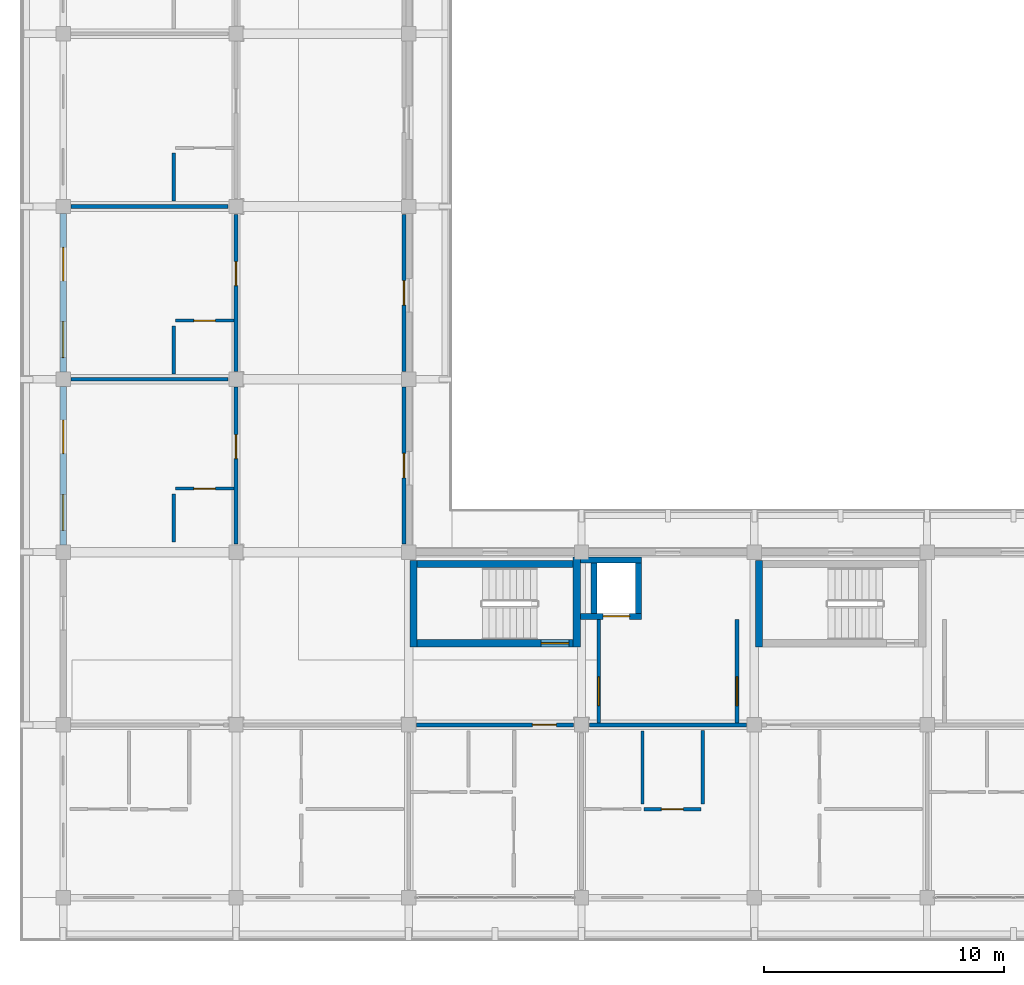
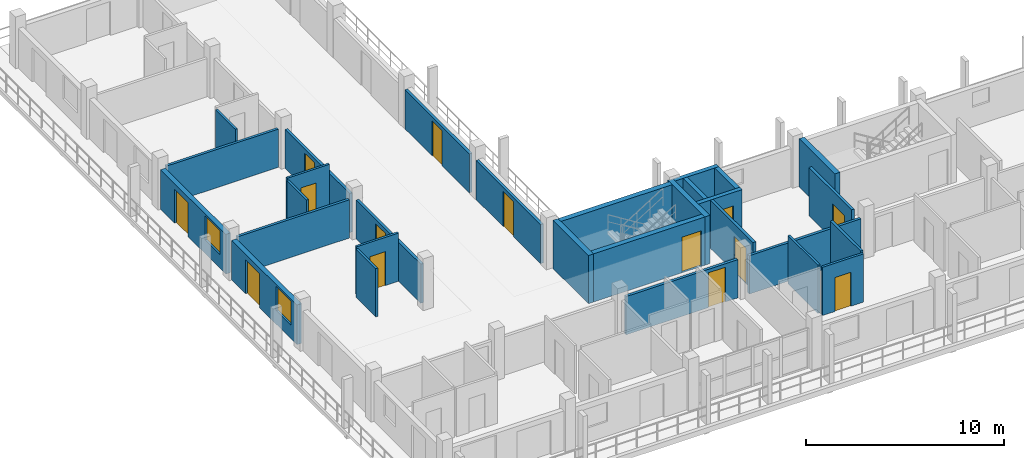
# One storey, part 39 of 76: 29 walls, 14 doors, 2 windows, 16 openings.
"""IFC4 building model written with IfcOpenShell, lengths in metres."""

from ifc_helpers import new_model, si_unit, direction, frame, frame_2d, origin, place, context, subcontext, project, spatial, rectangle, extrude, material, layer, layer_set, type_object, element, fill, save


model = new_model("IFC4")

# Units and contexts
model_context = context("Model", 3, precision=1e-05, world=origin(), true_north=direction((0.0, 1.0)))
body_context = subcontext(model_context, "Body", "Model", "MODEL_VIEW")
ifc_project = project(units=[si_unit("LENGTHUNIT", "METRE"), si_unit("AREAUNIT", "SQUARE_METRE"), si_unit("VOLUMEUNIT", "CUBIC_METRE"), si_unit("PLANEANGLEUNIT", "RADIAN"), si_unit("MASSUNIT", "GRAM", prefix="KILO")], contexts=[model_context])

# Site, building, storey
site_placement = place(None, origin())
site = spatial("IfcSite", under=ifc_project, at=site_placement, CompositionType="ELEMENT")
building_placement = place(site_placement, origin())
building = spatial("IfcBuilding", under=site, at=building_placement, Name="Suanplinth Sawtooth Commons", CompositionType="ELEMENT")
storey_placement = place(building_placement, frame((0.0, 0.0, 12.199951171875)))
storey = spatial("IfcBuildingStorey", under=building, at=storey_placement, Name="L03", CompositionType="ELEMENT", Elevation=12.199951171875)

# Wall, opening, door
ifc_material_1 = material(Name="Concrete C40/50", Category="concrete")
ifc_layer_1 = layer(ifc_material_1, 0.300048828125, Name="Standard RC stair and lift core wall 300mm")
ifc_layer_set_1 = layer_set([ifc_layer_1], Name="Concrete C40/50")
wall_type_1 = type_object("IfcWallType", Name="W-CR02", PredefinedType="SHEAR", material=ifc_layer_set_1)
wall_1_placement = place(storey_placement, frame((14.75, 10.60009765625, 0.0), z_axis=(0.0, 0.0, 1.0), x_axis=(1.0, 0.0, 0.0)))
wall_1 = element("IfcWall", 1, at=wall_1_placement, inside=storey, type_object=wall_type_1, Name="W-L03-C-D1-STS", PredefinedType="SHEAR", context=body_context, shape_type="SweptSolid", body=[
    extrude(rectangle(XDim=6.5, YDim=0.300048828125, at=frame_2d((3.25, 0.0))), origin(), (0.0, 0.0, 1.0), 2.97998046875),
])
opening_1_placement = place(wall_1_placement, frame((5.169921875, 0.0, 0.0)))
opening_1 = element("IfcOpeningElement", 2, at=opening_1_placement, cuts=wall_1, Name="Opening FD0373", PredefinedType="OPENING", context=body_context, shape_type="SweptSolid", body=[
    extrude(rectangle(XDim=1.14990234375, YDim=2.199951171875, at=frame_2d((0.574951171875, 1.10009765625))), frame((0.0, 0.1650390625, 0.0), z_axis=(0.0, -1.0, 0.0), x_axis=(1.0, 0.0, 0.0)), (0.0, 0.0, 1.0), 0.329833984375),
])
ifc_material_2 = material(Name="Teak hardwood fire-rated door assembly", Category="wood")
door_type_1 = type_object("IfcDoorType", Name="FD-01", OperationType="NOTDEFINED", PredefinedType="DOOR", material=ifc_material_2)
door_1_placement = place(opening_1_placement, origin())
door_1 = element("IfcDoor", 3, at=door_1_placement, inside=storey, type_object=door_type_1, Name="Exit Stair Fire Door FD0373", OperationType="SINGLE_SWING_RIGHT", OverallHeight=2.199951171875, OverallWidth=1.14990234375, PredefinedType="DOOR", context=body_context, shape_type="SweptSolid", body=[
    extrude(rectangle(XDim=1.14990234375, YDim=2.199951171875, at=frame_2d((0.574951171875, 1.10009765625))), frame((0.0, 0.02490234375, 0.0), z_axis=(0.0, -1.0, 0.0), x_axis=(1.0, 0.0, 0.0)), (0.0, 0.0, 1.0), 0.050048828125),
])
fill(opening_1, door_1)

# Walls
wall_2_placement = place(storey_placement, frame((14.75, 13.89990234375, 0.0), z_axis=(0.0, 0.0, 1.0), x_axis=(1.0, 0.0, 0.0)))
element("IfcWall", 4, at=wall_2_placement, inside=storey, type_object=wall_type_1, Name="W-L03-C-D1-STN", PredefinedType="SHEAR", context=body_context, shape_type="SweptSolid", body=[
    extrude(rectangle(XDim=6.5, YDim=0.300048828125, at=frame_2d((3.25, 0.0))), origin(), (0.0, 0.0, 1.0), 2.97998046875),
])
wall_3_placement = place(storey_placement, frame((14.60009765625, 10.449951171875, 0.0), z_axis=(0.0, 0.0, 1.0), x_axis=(0.0, 1.0, 0.0)))
element("IfcWall", 5, at=wall_3_placement, inside=storey, type_object=wall_type_1, Name="W-L03-C-D1-STW", PredefinedType="SHEAR", context=body_context, shape_type="SweptSolid", body=[
    extrude(rectangle(XDim=3.60009765625, YDim=0.300048828125, at=frame_2d((1.800048828125, 0.0))), origin(), (0.0, 0.0, 1.0), 2.97998046875),
])
wall_4_placement = place(storey_placement, frame((21.39990234375, 10.449951171875, 0.0), z_axis=(0.0, 0.0, 1.0), x_axis=(0.0, 1.0, 0.0)))
element("IfcWall", 6, at=wall_4_placement, inside=storey, type_object=wall_type_1, Name="W-L03-C-D1-STE", PredefinedType="SHEAR", context=body_context, shape_type="SweptSolid", body=[
    extrude(rectangle(XDim=3.75, YDim=0.300048828125, at=frame_2d((1.875, 0.0))), origin(), (0.0, 0.0, 1.0), 2.97998046875),
])
wall_5_placement = place(storey_placement, frame((29.0, 10.449951171875, 0.0), z_axis=(0.0, 0.0, 1.0), x_axis=(0.0, 1.0, 0.0)))
element("IfcWall", 7, at=wall_5_placement, inside=storey, type_object=wall_type_1, Name="W-L03-C-D2-STW", PredefinedType="SHEAR", context=body_context, shape_type="SweptSolid", body=[
    extrude(rectangle(XDim=3.60009765625, YDim=0.300048828125, at=frame_2d((1.800048828125, 0.0))), origin(), (0.0, 0.0, 1.0), 2.97998046875),
])

# Wall, openings, door, window
ifc_material_3 = material(Name="Precast concrete C40/50", Category="concrete")
ifc_layer_2 = layer(ifc_material_3, 0.280029296875, Name="Insulated precast architectural facade wall 280mm")
ifc_layer_set_2 = layer_set([ifc_layer_2], Name="Precast concrete C40/50")
wall_type_2 = type_object("IfcWallType", Name="W-EX01", PredefinedType="ELEMENTEDWALL", material=ifc_layer_set_2)
wall_6_placement = place(storey_placement, frame((0.0, 14.699951171875, 0.0), z_axis=(0.0, 0.0, 1.0), x_axis=(0.0, 1.0, 0.0)))
wall_6 = element("IfcWall", 8, at=wall_6_placement, inside=storey, type_object=wall_type_2, Name="Facade Wall W-L03-D-W-0-2", PredefinedType="ELEMENTEDWALL", context=body_context, shape_type="SweptSolid", body=[
    extrude(rectangle(XDim=6.60009765625, YDim=0.280029296875, at=frame_2d((3.300048828125, 0.0))), origin(), (0.0, 0.0, 1.0), 2.445068359375),
])
opening_2_placement = place(wall_6_placement, frame((3.800048828125, 0.0, 0.0)))
opening_2 = element("IfcOpeningElement", 9, at=opening_2_placement, cuts=wall_6, Name="Opening ED0292", PredefinedType="OPENING", context=body_context, shape_type="SweptSolid", body=[
    extrude(rectangle(XDim=1.39990234375, YDim=2.10009765625, at=frame_2d((0.699951171875, 1.050048828125))), frame((0.0, 0.15478515625, 0.0), z_axis=(0.0, -1.0, 0.0), x_axis=(1.0, 0.0, 0.0)), (0.0, 0.0, 1.0), 0.309814453125),
])
opening_3_placement = place(wall_6_placement, frame((0.60009765625, 0.0, 0.8349609375)))
opening_3 = element("IfcOpeningElement", 10, at=opening_3_placement, cuts=wall_6, Name="Opening W0396", PredefinedType="OPENING", context=body_context, shape_type="SweptSolid", body=[
    extrude(rectangle(XDim=1.5, YDim=1.5, at=frame_2d((0.75, 0.75))), frame((0.0, 0.15478515625, 0.0), z_axis=(0.0, -1.0, 0.0), x_axis=(1.0, 0.0, 0.0)), (0.0, 0.0, 1.0), 0.309814453125),
])
ifc_material_4 = material(Name="Anodized aluminium and low-E glass", Category="aluminium")
door_type_2 = type_object("IfcDoorType", Name="SD-07", OperationType="SLIDING_TO_RIGHT", PredefinedType="DOOR", material=ifc_material_4)
door_2_placement = place(opening_2_placement, frame((1.39990234375, 0.0, 0.0), z_axis=(0.0, 0.0, 1.0), x_axis=(-1.0, 0.0, 0.0)))
door_2 = element("IfcDoor", 11, at=door_2_placement, inside=storey, type_object=door_type_2, Name="Wing Balcony Sliding Door L03-D-2", OperationType="SLIDING_TO_RIGHT", OverallHeight=2.10009765625, OverallWidth=1.39990234375, PredefinedType="DOOR", context=body_context, shape_type="SweptSolid", body=[
    extrude(rectangle(XDim=1.39990234375, YDim=2.10009765625, at=frame_2d((0.699951171875, 1.050048828125))), frame((0.0, 0.02490234375, 0.0), z_axis=(0.0, -1.0, 0.0), x_axis=(1.0, 0.0, 0.0)), (0.0, 0.0, 1.0), 0.050048828125),
])
fill(opening_2, door_2)
ifc_material_5 = material(Name="Thermally broken aluminium and low-E double glazing", Category="aluminium")
window_type = type_object("IfcWindowType", Name="WN-02", PartitioningType="DOUBLE_PANEL_VERTICAL", PredefinedType="WINDOW", material=ifc_material_5)
window_1_placement = place(opening_3_placement, origin())
window_1 = element("IfcWindow", 12, at=window_1_placement, inside=storey, type_object=window_type, Name="Wing Window L03-D-2", OverallHeight=1.5, OverallWidth=1.5, PartitioningType="DOUBLE_PANEL_VERTICAL", PredefinedType="WINDOW", context=body_context, shape_type="SweptSolid", body=[
    extrude(rectangle(XDim=1.5, YDim=1.5, at=frame_2d((0.75, 0.75))), frame((0.0, 0.030029296875, 0.0), z_axis=(0.0, -1.0, 0.0), x_axis=(1.0, 0.0, 0.0)), (0.0, 0.0, 1.0), 0.06005859375),
])
fill(opening_3, window_1)

wall_7_placement = place(storey_placement, frame((0.0, 21.89990234375, 0.0), z_axis=(0.0, 0.0, 1.0), x_axis=(0.0, 1.0, 0.0)))
wall_7 = element("IfcWall", 13, at=wall_7_placement, inside=storey, type_object=wall_type_2, Name="Facade Wall W-L03-D-W-0-3", PredefinedType="ELEMENTEDWALL", context=body_context, shape_type="SweptSolid", body=[
    extrude(rectangle(XDim=6.60009765625, YDim=0.280029296875, at=frame_2d((3.300048828125, 0.0))), origin(), (0.0, 0.0, 1.0), 2.445068359375),
])
opening_4_placement = place(wall_7_placement, frame((3.800048828125, 0.0, 0.0)))
opening_4 = element("IfcOpeningElement", 14, at=opening_4_placement, cuts=wall_7, Name="Opening ED0293", PredefinedType="OPENING", context=body_context, shape_type="SweptSolid", body=[
    extrude(rectangle(XDim=1.39990234375, YDim=2.10009765625, at=frame_2d((0.699951171875, 1.050048828125))), frame((0.0, 0.15478515625, 0.0), z_axis=(0.0, -1.0, 0.0), x_axis=(1.0, 0.0, 0.0)), (0.0, 0.0, 1.0), 0.309814453125),
])
opening_5_placement = place(wall_7_placement, frame((0.60009765625, 0.0, 0.8349609375)))
opening_5 = element("IfcOpeningElement", 15, at=opening_5_placement, cuts=wall_7, Name="Opening W0397", PredefinedType="OPENING", context=body_context, shape_type="SweptSolid", body=[
    extrude(rectangle(XDim=1.5, YDim=1.5, at=frame_2d((0.75, 0.75))), frame((0.0, 0.15478515625, 0.0), z_axis=(0.0, -1.0, 0.0), x_axis=(1.0, 0.0, 0.0)), (0.0, 0.0, 1.0), 0.309814453125),
])
door_3_placement = place(opening_4_placement, frame((1.39990234375, 0.0, 0.0), z_axis=(0.0, 0.0, 1.0), x_axis=(-1.0, 0.0, 0.0)))
door_3 = element("IfcDoor", 16, at=door_3_placement, inside=storey, type_object=door_type_2, Name="Wing Balcony Sliding Door L03-D-3", OperationType="SLIDING_TO_RIGHT", OverallHeight=2.10009765625, OverallWidth=1.39990234375, PredefinedType="DOOR", context=body_context, shape_type="SweptSolid", body=[
    extrude(rectangle(XDim=1.39990234375, YDim=2.10009765625, at=frame_2d((0.699951171875, 1.050048828125))), frame((0.0, 0.02490234375, 0.0), z_axis=(0.0, -1.0, 0.0), x_axis=(1.0, 0.0, 0.0)), (0.0, 0.0, 1.0), 0.050048828125),
])
fill(opening_4, door_3)
window_2_placement = place(opening_5_placement, origin())
window_2 = element("IfcWindow", 17, at=window_2_placement, inside=storey, type_object=window_type, Name="Wing Window L03-D-3", OverallHeight=1.5, OverallWidth=1.5, PartitioningType="DOUBLE_PANEL_VERTICAL", PredefinedType="WINDOW", context=body_context, shape_type="SweptSolid", body=[
    extrude(rectangle(XDim=1.5, YDim=1.5, at=frame_2d((0.75, 0.75))), frame((0.0, 0.030029296875, 0.0), z_axis=(0.0, -1.0, 0.0), x_axis=(1.0, 0.0, 0.0)), (0.0, 0.0, 1.0), 0.06005859375),
])
fill(opening_5, window_2)

# Wall, opening, door
ifc_layer_3 = layer(ifc_material_3, 0.159912109375, Name="Fire-rated corridor and lobby wall 160mm")
ifc_layer_set_3 = layer_set([ifc_layer_3], Name="Precast concrete C40/50")
wall_type_3 = type_object("IfcWallType", Name="W-FW01", PredefinedType="PARTITIONING", material=ifc_layer_set_3)
wall_8_placement = place(storey_placement, frame((22.320068359375, 7.280029296875, 0.0), z_axis=(0.0, 0.0, 1.0), x_axis=(0.0, 1.0, 0.0)))
wall_8 = element("IfcWall", 18, at=wall_8_placement, inside=storey, type_object=wall_type_3, Name="W-L03-C-D1-LOB-W", PredefinedType="PARTITIONING", context=body_context, shape_type="SweptSolid", body=[
    extrude(rectangle(XDim=4.320068359375, YDim=0.159912109375, at=frame_2d((2.16015625, 0.0))), origin(), (0.0, 0.0, 1.0), 2.97998046875),
])
opening_6_placement = place(wall_8_placement, frame((0.719970703125, 0.0, 0.0)))
opening_6 = element("IfcOpeningElement", 19, at=opening_6_placement, cuts=wall_8, Name="Opening FD0374", PredefinedType="OPENING", context=body_context, shape_type="SweptSolid", body=[
    extrude(rectangle(XDim=1.199951171875, YDim=2.199951171875, at=frame_2d((0.60009765625, 1.10009765625))), frame((0.0, 0.0947265625, 0.0), z_axis=(0.0, -1.0, 0.0), x_axis=(1.0, 0.0, 0.0)), (0.0, 0.0, 1.0), 0.189697265625),
])
door_type_3 = type_object("IfcDoorType", Name="FD-02", OperationType="NOTDEFINED", PredefinedType="DOOR", material=ifc_material_2)
door_4_placement = place(opening_6_placement, origin())
door_4 = element("IfcDoor", 20, at=door_4_placement, inside=storey, type_object=door_type_3, Name="Lobby Fire Door FD0374", OperationType="SINGLE_SWING_LEFT", OverallHeight=2.199951171875, OverallWidth=1.199951171875, PredefinedType="DOOR", context=body_context, shape_type="SweptSolid", body=[
    extrude(rectangle(XDim=1.199951171875, YDim=2.199951171875, at=frame_2d((0.60009765625, 1.10009765625))), frame((0.0, 0.02490234375, 0.0), z_axis=(0.0, -1.0, 0.0), x_axis=(1.0, 0.0, 0.0)), (0.0, 0.0, 1.0), 0.050048828125),
])
fill(opening_6, door_4)

wall_9_placement = place(storey_placement, frame((28.080078125, 7.280029296875, 0.0), z_axis=(0.0, 0.0, 1.0), x_axis=(0.0, 1.0, 0.0)))
wall_9 = element("IfcWall", 21, at=wall_9_placement, inside=storey, type_object=wall_type_3, Name="W-L03-C-D1-LOB-E", PredefinedType="PARTITIONING", context=body_context, shape_type="SweptSolid", body=[
    extrude(rectangle(XDim=4.320068359375, YDim=0.159912109375, at=frame_2d((2.16015625, 0.0))), origin(), (0.0, 0.0, 1.0), 2.97998046875),
])
opening_7_placement = place(wall_9_placement, frame((0.719970703125, 0.0, 0.0)))
opening_7 = element("IfcOpeningElement", 22, at=opening_7_placement, cuts=wall_9, Name="Opening FD0375", PredefinedType="OPENING", context=body_context, shape_type="SweptSolid", body=[
    extrude(rectangle(XDim=1.199951171875, YDim=2.199951171875, at=frame_2d((0.60009765625, 1.10009765625))), frame((0.0, 0.0947265625, 0.0), z_axis=(0.0, -1.0, 0.0), x_axis=(1.0, 0.0, 0.0)), (0.0, 0.0, 1.0), 0.189697265625),
])
door_5_placement = place(opening_7_placement, frame((1.199951171875, 0.0, 0.0), z_axis=(0.0, 0.0, 1.0), x_axis=(-1.0, 0.0, 0.0)))
door_5 = element("IfcDoor", 23, at=door_5_placement, inside=storey, type_object=door_type_3, Name="Lobby Fire Door FD0375", OperationType="SINGLE_SWING_RIGHT", OverallHeight=2.199951171875, OverallWidth=1.199951171875, PredefinedType="DOOR", context=body_context, shape_type="SweptSolid", body=[
    extrude(rectangle(XDim=1.199951171875, YDim=2.199951171875, at=frame_2d((0.60009765625, 1.10009765625))), frame((0.0, 0.02490234375, 0.0), z_axis=(0.0, -1.0, 0.0), x_axis=(1.0, 0.0, 0.0)), (0.0, 0.0, 1.0), 0.050048828125),
])
fill(opening_7, door_5)

wall_10_placement = place(storey_placement, frame((14.72998046875, 7.199951171875, 0.0), z_axis=(0.0, 0.0, 1.0), x_axis=(1.0, 0.0, 0.0)))
wall_10 = element("IfcWall", 24, at=wall_10_placement, inside=storey, type_object=wall_type_3, Name="W-D-L03-U02-COR", PredefinedType="PARTITIONING", context=body_context, shape_type="SweptSolid", body=[
    extrude(rectangle(XDim=6.5400390625, YDim=0.159912109375, at=frame_2d((3.27001953125, 0.0))), origin(), (0.0, 0.0, 1.0), 2.364990234375),
])
opening_8_placement = place(wall_10_placement, frame((4.820068359375, 0.0, 0.0)))
opening_8 = element("IfcOpeningElement", 25, at=opening_8_placement, cuts=wall_10, Name="Opening FD1009", PredefinedType="OPENING", context=body_context, shape_type="SweptSolid", body=[
    extrude(rectangle(XDim=1.0, YDim=2.14990234375, at=frame_2d((0.5, 1.074951171875))), frame((0.0, 0.0947265625, 0.0), z_axis=(0.0, -1.0, 0.0), x_axis=(1.0, 0.0, 0.0)), (0.0, 0.0, 1.0), 0.189697265625),
])
door_type_4 = type_object("IfcDoorType", Name="FD-03", OperationType="NOTDEFINED", PredefinedType="DOOR", material=ifc_material_2)
door_6_placement = place(opening_8_placement, frame((1.0, 0.0, 0.0), z_axis=(0.0, 0.0, 1.0), x_axis=(-1.0, 0.0, 0.0)))
door_6 = element("IfcDoor", 26, at=door_6_placement, inside=storey, type_object=door_type_4, Name="Unit Entrance Door FD1009", OperationType="SINGLE_SWING_LEFT", OverallHeight=2.14990234375, OverallWidth=1.0, PredefinedType="DOOR", context=body_context, shape_type="SweptSolid", body=[
    extrude(rectangle(XDim=1.0, YDim=2.14990234375, at=frame_2d((0.5, 1.074951171875))), frame((0.0, 0.02490234375, 0.0), z_axis=(0.0, -1.0, 0.0), x_axis=(1.0, 0.0, 0.0)), (0.0, 0.0, 1.0), 0.050048828125),
])
fill(opening_8, door_6)

# Wall
wall_11_placement = place(storey_placement, frame((21.929931640625, 7.199951171875, 0.0), z_axis=(0.0, 0.0, 1.0), x_axis=(1.0, 0.0, 0.0)))
element("IfcWall", 27, at=wall_11_placement, inside=storey, type_object=wall_type_3, Name="W-D-L03-U03-COR-S1", PredefinedType="PARTITIONING", context=body_context, shape_type="SweptSolid", body=[
    extrude(rectangle(XDim=6.5400390625, YDim=0.159912109375, at=frame_2d((3.27001953125, 0.0))), origin(), (0.0, 0.0, 1.0), 2.364990234375),
])

# Wall, opening, door
wall_12_placement = place(storey_placement, frame((7.199951171875, 14.72998046875, 0.0), z_axis=(0.0, 0.0, 1.0), x_axis=(0.0, 1.0, 0.0)))
wall_12 = element("IfcWall", 28, at=wall_12_placement, inside=storey, type_object=wall_type_3, Name="W-D-L03-L01-COR", PredefinedType="PARTITIONING", context=body_context, shape_type="SweptSolid", body=[
    extrude(rectangle(XDim=6.5400390625, YDim=0.159912109375, at=frame_2d((3.27001953125, 0.0))), origin(), (0.0, 0.0, 1.0), 2.4150390625),
])
opening_9_placement = place(wall_12_placement, frame((3.570068359375, 0.0, 0.0)))
opening_9 = element("IfcOpeningElement", 29, at=opening_9_placement, cuts=wall_12, Name="Opening FD1029", PredefinedType="OPENING", context=body_context, shape_type="SweptSolid", body=[
    extrude(rectangle(XDim=1.0, YDim=2.14990234375, at=frame_2d((0.5, 1.074951171875))), frame((0.0, 0.0947265625, 0.0), z_axis=(0.0, -1.0, 0.0), x_axis=(1.0, 0.0, 0.0)), (0.0, 0.0, 1.0), 0.189697265625),
])
door_7_placement = place(opening_9_placement, origin())
door_7 = element("IfcDoor", 30, at=door_7_placement, inside=storey, type_object=door_type_4, Name="Wing Unit Entrance Door FD1029", OperationType="SINGLE_SWING_LEFT", OverallHeight=2.14990234375, OverallWidth=1.0, PredefinedType="DOOR", context=body_context, shape_type="SweptSolid", body=[
    extrude(rectangle(XDim=1.0, YDim=2.14990234375, at=frame_2d((0.5, 1.074951171875))), frame((0.0, 0.02490234375, 0.0), z_axis=(0.0, -1.0, 0.0), x_axis=(1.0, 0.0, 0.0)), (0.0, 0.0, 1.0), 0.050048828125),
])
fill(opening_9, door_7)

wall_13_placement = place(storey_placement, frame((14.199951171875, 14.72998046875, 0.0), z_axis=(0.0, 0.0, 1.0), x_axis=(0.0, 1.0, 0.0)))
wall_13 = element("IfcWall", 31, at=wall_13_placement, inside=storey, type_object=wall_type_3, Name="W-D-L03-LEGCOURTROOM-67-COR", PredefinedType="PARTITIONING", context=body_context, shape_type="SweptSolid", body=[
    extrude(rectangle(XDim=6.5400390625, YDim=0.159912109375, at=frame_2d((3.27001953125, 0.0))), origin(), (0.0, 0.0, 1.0), 2.4150390625),
])
opening_10_placement = place(wall_13_placement, frame((2.760009765625, 0.0, 0.0)))
opening_10 = element("IfcOpeningElement", 32, at=opening_10_placement, cuts=wall_13, Name="Opening D1031", PredefinedType="OPENING", context=body_context, shape_type="SweptSolid", body=[
    extrude(rectangle(XDim=1.02001953125, YDim=2.179931640625, at=frame_2d((0.510009765625, 1.08984375))), frame((0.0, 0.0947265625, 0.0), z_axis=(0.0, -1.0, 0.0), x_axis=(1.0, 0.0, 0.0)), (0.0, 0.0, 1.0), 0.189697265625),
])
ifc_material_6 = material(Name="Teak hardwood", Category="wood")
door_type_5 = type_object("IfcDoorType", Name="D-16", OperationType="NOTDEFINED", PredefinedType="DOOR", material=ifc_material_6)
door_8_placement = place(opening_10_placement, frame((1.02001953125, 0.0, 0.0), z_axis=(0.0, 0.0, 1.0), x_axis=(-1.0, 0.0, 0.0)))
door_8 = element("IfcDoor", 33, at=door_8_placement, inside=storey, type_object=door_type_5, Name="Veranda Studio Door D1031", OperationType="SINGLE_SWING_LEFT", OverallHeight=2.179931640625, OverallWidth=1.02001953125, PredefinedType="DOOR", context=body_context, shape_type="SweptSolid", body=[
    extrude(rectangle(XDim=1.02001953125, YDim=2.179931640625, at=frame_2d((0.510009765625, 1.08984375))), frame((0.0, 0.02490234375, 0.0), z_axis=(0.0, -1.0, 0.0), x_axis=(1.0, 0.0, 0.0)), (0.0, 0.0, 1.0), 0.050048828125),
])
fill(opening_10, door_8)

wall_14_placement = place(storey_placement, frame((7.199951171875, 21.929931640625, 0.0), z_axis=(0.0, 0.0, 1.0), x_axis=(0.0, 1.0, 0.0)))
wall_14 = element("IfcWall", 34, at=wall_14_placement, inside=storey, type_object=wall_type_3, Name="W-D-L03-L02-COR", PredefinedType="PARTITIONING", context=body_context, shape_type="SweptSolid", body=[
    extrude(rectangle(XDim=6.5400390625, YDim=0.159912109375, at=frame_2d((3.27001953125, 0.0))), origin(), (0.0, 0.0, 1.0), 2.4150390625),
])
opening_11_placement = place(wall_14_placement, frame((3.570068359375, 0.0, 0.0)))
opening_11 = element("IfcOpeningElement", 35, at=opening_11_placement, cuts=wall_14, Name="Opening FD1032", PredefinedType="OPENING", context=body_context, shape_type="SweptSolid", body=[
    extrude(rectangle(XDim=1.0, YDim=2.14990234375, at=frame_2d((0.5, 1.074951171875))), frame((0.0, 0.0947265625, 0.0), z_axis=(0.0, -1.0, 0.0), x_axis=(1.0, 0.0, 0.0)), (0.0, 0.0, 1.0), 0.189697265625),
])
door_9_placement = place(opening_11_placement, origin())
door_9 = element("IfcDoor", 36, at=door_9_placement, inside=storey, type_object=door_type_4, Name="Wing Unit Entrance Door FD1032", OperationType="SINGLE_SWING_RIGHT", OverallHeight=2.14990234375, OverallWidth=1.0, PredefinedType="DOOR", context=body_context, shape_type="SweptSolid", body=[
    extrude(rectangle(XDim=1.0, YDim=2.14990234375, at=frame_2d((0.5, 1.074951171875))), frame((0.0, 0.02490234375, 0.0), z_axis=(0.0, -1.0, 0.0), x_axis=(1.0, 0.0, 0.0)), (0.0, 0.0, 1.0), 0.050048828125),
])
fill(opening_11, door_9)

wall_15_placement = place(storey_placement, frame((14.199951171875, 21.929931640625, 0.0), z_axis=(0.0, 0.0, 1.0), x_axis=(0.0, 1.0, 0.0)))
wall_15 = element("IfcWall", 37, at=wall_15_placement, inside=storey, type_object=wall_type_3, Name="W-D-L03-LEGCOURTROOM-69-COR", PredefinedType="PARTITIONING", context=body_context, shape_type="SweptSolid", body=[
    extrude(rectangle(XDim=6.5400390625, YDim=0.159912109375, at=frame_2d((3.27001953125, 0.0))), origin(), (0.0, 0.0, 1.0), 2.4150390625),
])
opening_12_placement = place(wall_15_placement, frame((2.760009765625, 0.0, 0.0)))
opening_12 = element("IfcOpeningElement", 38, at=opening_12_placement, cuts=wall_15, Name="Opening D1034", PredefinedType="OPENING", context=body_context, shape_type="SweptSolid", body=[
    extrude(rectangle(XDim=1.02001953125, YDim=2.179931640625, at=frame_2d((0.510009765625, 1.08984375))), frame((0.0, 0.0947265625, 0.0), z_axis=(0.0, -1.0, 0.0), x_axis=(1.0, 0.0, 0.0)), (0.0, 0.0, 1.0), 0.189697265625),
])
door_10_placement = place(opening_12_placement, frame((1.02001953125, 0.0, 0.0), z_axis=(0.0, 0.0, 1.0), x_axis=(-1.0, 0.0, 0.0)))
door_10 = element("IfcDoor", 39, at=door_10_placement, inside=storey, type_object=door_type_5, Name="Veranda Studio Door D1034", OperationType="SINGLE_SWING_RIGHT", OverallHeight=2.179931640625, OverallWidth=1.02001953125, PredefinedType="DOOR", context=body_context, shape_type="SweptSolid", body=[
    extrude(rectangle(XDim=1.02001953125, YDim=2.179931640625, at=frame_2d((0.510009765625, 1.08984375))), frame((0.0, 0.02490234375, 0.0), z_axis=(0.0, -1.0, 0.0), x_axis=(1.0, 0.0, 0.0)), (0.0, 0.0, 1.0), 0.050048828125),
])
fill(opening_12, door_10)

# Walls
ifc_layer_4 = layer(ifc_material_3, 0.14990234375, Name="Acoustic precast party demising wall 150mm")
ifc_layer_set_4 = layer_set([ifc_layer_4], Name="Precast concrete C40/50")
wall_type_4 = type_object("IfcWallType", Name="W-FW02", PredefinedType="PARTITIONING", material=ifc_layer_set_4)
for number, where, z_axis, x_axis, name in (
    (40, (0.330078125, 21.60009765625, 0.0), (0.0, 0.0, 1.0), (1.0, 0.0, 0.0), "W-D-L03-L01-PTY"),
    (41, (0.330078125, 28.800048828125, 0.0), (0.0, 0.0, 1.0), (1.0, 0.0, 0.0), "W-D-L03-L02-PTY"),
):
    element("IfcWall", number, at=place(storey_placement, frame(where, z_axis=z_axis, x_axis=x_axis)), inside=storey, type_object=wall_type_4, Name=name, PredefinedType="PARTITIONING", context=body_context, shape_type="SweptSolid", body=[
        extrude(rectangle(XDim=6.5400390625, YDim=0.14990234375, at=frame_2d((3.27001953125, 0.0))), origin(), (0.0, 0.0, 1.0), 2.364990234375),
    ])

# Wall, opening, door
ifc_material_7 = material(Name="Gypsum plasterboard on steel stud", Category="steel")
ifc_layer_5 = layer(ifc_material_7, 0.139892578125, Name="Fire-rated kitchen partition 140mm")
ifc_layer_set_5 = layer_set([ifc_layer_5], Name="Gypsum plasterboard on steel stud")
wall_type_5 = type_object("IfcWallType", Name="W-PT01", PredefinedType="PARTITIONING", material=ifc_layer_set_5)
wall_16_placement = place(storey_placement, frame((24.199951171875, 3.68994140625, 0.0), z_axis=(0.0, 0.0, 1.0), x_axis=(1.0, 0.0, 0.0)))
wall_16 = element("IfcWall", 42, at=wall_16_placement, inside=storey, type_object=wall_type_5, Name="W-D-L03-U03-KIT1", PredefinedType="PARTITIONING", context=body_context, shape_type="SweptSolid", body=[
    extrude(rectangle(XDim=2.380126953125, YDim=0.139892578125, at=frame_2d((1.18994140625, 0.0))), origin(), (0.0, 0.0, 1.0), 2.97998046875),
])
opening_13_placement = place(wall_16_placement, frame((0.72998046875, 0.0, 0.0)))
opening_13 = element("IfcOpeningElement", 43, at=opening_13_placement, cuts=wall_16, Name="Opening D1015", PredefinedType="OPENING", context=body_context, shape_type="SweptSolid", body=[
    extrude(rectangle(XDim=0.919921875, YDim=2.10009765625, at=frame_2d((0.4599609375, 1.050048828125))), frame((0.0, 0.0849609375, 0.0), z_axis=(0.0, -1.0, 0.0), x_axis=(1.0, 0.0, 0.0)), (0.0, 0.0, 1.0), 0.169677734375),
])
door_type_6 = type_object("IfcDoorType", Name="D-02", OperationType="NOTDEFINED", PredefinedType="DOOR", material=ifc_material_6)
door_11_placement = place(opening_13_placement, origin())
door_11 = element("IfcDoor", 44, at=door_11_placement, inside=storey, type_object=door_type_6, Name="Kitchen Door D1015", OperationType="SINGLE_SWING_LEFT", OverallHeight=2.10009765625, OverallWidth=0.919921875, PredefinedType="DOOR", context=body_context, shape_type="SweptSolid", body=[
    extrude(rectangle(XDim=0.919921875, YDim=2.10009765625, at=frame_2d((0.4599609375, 1.050048828125))), frame((0.0, 0.02490234375, 0.0), z_axis=(0.0, -1.0, 0.0), x_axis=(1.0, 0.0, 0.0)), (0.0, 0.0, 1.0), 0.050048828125),
])
fill(opening_13, door_11)

# Walls
wall_17_placement = place(storey_placement, frame((26.64990234375, 3.909912109375, 0.0), z_axis=(0.0, 0.0, 1.0), x_axis=(0.0, 1.0, 0.0)))
element("IfcWall", 45, at=wall_17_placement, inside=storey, type_object=wall_type_5, Name="W-D-L03-U03-KIT2", PredefinedType="PARTITIONING", context=body_context, shape_type="SweptSolid", body=[
    extrude(rectangle(XDim=3.06005859375, YDim=0.139892578125, at=frame_2d((1.530029296875, 0.0))), origin(), (0.0, 0.0, 1.0), 2.97998046875),
])
ifc_layer_6 = layer(ifc_material_7, 0.1298828125, Name="Moisture-resistant bathroom partition 130mm")
ifc_layer_set_6 = layer_set([ifc_layer_6], Name="Gypsum plasterboard on steel stud")
wall_type_6 = type_object("IfcWallType", Name="W-PT02", PredefinedType="PARTITIONING", material=ifc_layer_set_6)
wall_18_placement = place(storey_placement, frame((24.14501953125, 3.89990234375, 0.0), z_axis=(0.0, 0.0, 1.0), x_axis=(0.0, 1.0, 0.0)))
element("IfcWall", 46, at=wall_18_placement, inside=storey, type_object=wall_type_6, Name="W-D-L03-U03-BTH2", PredefinedType="PARTITIONING", context=body_context, shape_type="SweptSolid", body=[
    extrude(rectangle(XDim=3.0400390625, YDim=0.1298828125, at=frame_2d((1.52001953125, 0.0))), origin(), (0.0, 0.0, 1.0), 2.97998046875),
])

# Wall, opening, door
wall_19_placement = place(storey_placement, frame((4.669921875, 17.044921875, 0.0), z_axis=(0.0, 0.0, 1.0), x_axis=(1.0, 0.0, 0.0)))
wall_19 = element("IfcWall", 47, at=wall_19_placement, inside=storey, type_object=wall_type_6, Name="W-D-L03-L01-BTH1", PredefinedType="PARTITIONING", context=body_context, shape_type="SweptSolid", body=[
    extrude(rectangle(XDim=2.4501953125, YDim=0.1298828125, at=frame_2d((1.22509765625, 0.0))), origin(), (0.0, 0.0, 1.0), 2.97998046875),
])
opening_14_placement = place(wall_19_placement, frame((0.77490234375, 0.0, 0.0)))
opening_14 = element("IfcOpeningElement", 48, at=opening_14_placement, cuts=wall_19, Name="Opening D1030", PredefinedType="OPENING", context=body_context, shape_type="SweptSolid", body=[
    extrude(rectangle(XDim=0.89990234375, YDim=2.10009765625, at=frame_2d((0.449951171875, 1.050048828125))), frame((0.0, 0.079833984375, 0.0), z_axis=(0.0, -1.0, 0.0), x_axis=(1.0, 0.0, 0.0)), (0.0, 0.0, 1.0), 0.15966796875),
])
door_type_7 = type_object("IfcDoorType", Name="D-01", OperationType="NOTDEFINED", PredefinedType="DOOR", material=ifc_material_6)
door_12_placement = place(opening_14_placement, frame((0.89990234375, 0.0, 0.0), z_axis=(0.0, 0.0, 1.0), x_axis=(-1.0, 0.0, 0.0)))
door_12 = element("IfcDoor", 49, at=door_12_placement, inside=storey, type_object=door_type_7, Name="Bathroom Door D1030", OperationType="SINGLE_SWING_RIGHT", OverallHeight=2.10009765625, OverallWidth=0.89990234375, PredefinedType="DOOR", context=body_context, shape_type="SweptSolid", body=[
    extrude(rectangle(XDim=0.89990234375, YDim=2.10009765625, at=frame_2d((0.449951171875, 1.050048828125))), frame((0.0, 0.02490234375, 0.0), z_axis=(0.0, -1.0, 0.0), x_axis=(1.0, 0.0, 0.0)), (0.0, 0.0, 1.0), 0.050048828125),
])
fill(opening_14, door_12)

# Wall
wall_20_placement = place(storey_placement, frame((4.60498046875, 14.830078125, 0.0), z_axis=(0.0, 0.0, 1.0), x_axis=(0.0, 1.0, 0.0)))
element("IfcWall", 50, at=wall_20_placement, inside=storey, type_object=wall_type_6, Name="W-D-L03-L01-BTH2", PredefinedType="PARTITIONING", context=body_context, shape_type="SweptSolid", body=[
    extrude(rectangle(XDim=2.0, YDim=0.1298828125, at=frame_2d((1.0, 0.0))), origin(), (0.0, 0.0, 1.0), 2.97998046875),
])

# Wall, opening, door
wall_21_placement = place(storey_placement, frame((4.669921875, 24.044921875, 0.0), z_axis=(0.0, 0.0, 1.0), x_axis=(1.0, 0.0, 0.0)))
wall_21 = element("IfcWall", 51, at=wall_21_placement, inside=storey, type_object=wall_type_6, Name="W-D-L03-L02-BTH1", PredefinedType="PARTITIONING", context=body_context, shape_type="SweptSolid", body=[
    extrude(rectangle(XDim=2.4501953125, YDim=0.1298828125, at=frame_2d((1.22509765625, 0.0))), origin(), (0.0, 0.0, 1.0), 2.97998046875),
])
opening_15_placement = place(wall_21_placement, frame((0.77490234375, 0.0, 0.0)))
opening_15 = element("IfcOpeningElement", 52, at=opening_15_placement, cuts=wall_21, Name="Opening D1033", PredefinedType="OPENING", context=body_context, shape_type="SweptSolid", body=[
    extrude(rectangle(XDim=0.89990234375, YDim=2.10009765625, at=frame_2d((0.449951171875, 1.050048828125))), frame((0.0, 0.079833984375, 0.0), z_axis=(0.0, -1.0, 0.0), x_axis=(1.0, 0.0, 0.0)), (0.0, 0.0, 1.0), 0.15966796875),
])
door_13_placement = place(opening_15_placement, frame((0.89990234375, 0.0, 0.0), z_axis=(0.0, 0.0, 1.0), x_axis=(-1.0, 0.0, 0.0)))
door_13 = element("IfcDoor", 53, at=door_13_placement, inside=storey, type_object=door_type_7, Name="Bathroom Door D1033", OperationType="SINGLE_SWING_LEFT", OverallHeight=2.10009765625, OverallWidth=0.89990234375, PredefinedType="DOOR", context=body_context, shape_type="SweptSolid", body=[
    extrude(rectangle(XDim=0.89990234375, YDim=2.10009765625, at=frame_2d((0.449951171875, 1.050048828125))), frame((0.0, 0.02490234375, 0.0), z_axis=(0.0, -1.0, 0.0), x_axis=(1.0, 0.0, 0.0)), (0.0, 0.0, 1.0), 0.050048828125),
])
fill(opening_15, door_13)

# Walls
for number, where, z_axis, x_axis, name in (
    (54, (4.60498046875, 21.830078125, 0.0), (0.0, 0.0, 1.0), (0.0, 1.0, 0.0), "W-D-L03-L02-BTH2"),
    (55, (4.60498046875, 29.030029296875, 0.0), (0.0, 0.0, 1.0), (0.0, 1.0, 0.0), "W-D-L03-L03-BTH2"),
):
    element("IfcWall", number, at=place(storey_placement, frame(where, z_axis=z_axis, x_axis=x_axis)), inside=storey, type_object=wall_type_6, Name=name, PredefinedType="PARTITIONING", context=body_context, shape_type="SweptSolid", body=[
        extrude(rectangle(XDim=2.0, YDim=0.1298828125, at=frame_2d((1.0, 0.0))), origin(), (0.0, 0.0, 1.0), 2.97998046875),
    ])

# Wall, opening, door
ifc_layer_7 = layer(ifc_material_3, 0.25, Name="Precast structural shear wall 250mm")
ifc_layer_set_7 = layer_set([ifc_layer_7], Name="Precast concrete C40/50")
wall_type_7 = type_object("IfcWallType", Name="W-SH01", PredefinedType="SHEAR", material=ifc_layer_set_7)
wall_22_placement = place(storey_placement, frame((21.550048828125, 11.72509765625, 0.0), z_axis=(0.0, 0.0, 1.0), x_axis=(1.0, 0.0, 0.0)))
wall_22 = element("IfcWall", 56, at=wall_22_placement, inside=storey, type_object=wall_type_7, Name="W-L03-LF6-S", PredefinedType="SHEAR", context=body_context, shape_type="SweptSolid", body=[
    extrude(rectangle(XDim=2.550048828125, YDim=0.25, at=frame_2d((1.27490234375, 0.0))), origin(), (0.0, 0.0, 1.0), 2.97998046875),
])
opening_16_placement = place(wall_22_placement, frame((0.949951171875, 0.0, 0.0)))
opening_16 = element("IfcOpeningElement", 57, at=opening_16_placement, cuts=wall_22, Name="Opening LD0376", PredefinedType="OPENING", context=body_context, shape_type="SweptSolid", body=[
    extrude(rectangle(XDim=1.10009765625, YDim=2.14990234375, at=frame_2d((0.550048828125, 1.074951171875))), frame((0.0, 0.139892578125, 0.0), z_axis=(0.0, -1.0, 0.0), x_axis=(1.0, 0.0, 0.0)), (0.0, 0.0, 1.0), 0.27978515625),
])
ifc_material_8 = material(Name="Stainless steel Grade 304", Category="steel")
door_type_8 = type_object("IfcDoorType", Name="LD-01", OperationType="SLIDING_TO_LEFT", PredefinedType="DOOR", material=ifc_material_8)
door_14_placement = place(opening_16_placement, frame((1.10009765625, 0.0, 0.0), z_axis=(0.0, 0.0, 1.0), x_axis=(-1.0, 0.0, 0.0)))
door_14 = element("IfcDoor", 58, at=door_14_placement, inside=storey, type_object=door_type_8, Name="Lift Landing Sliding Door LF6 L03", OperationType="SLIDING_TO_LEFT", OverallHeight=2.14990234375, OverallWidth=1.10009765625, PredefinedType="DOOR", context=body_context, shape_type="SweptSolid", body=[
    extrude(rectangle(XDim=1.10009765625, YDim=2.14990234375, at=frame_2d((0.550048828125, 1.074951171875))), frame((0.0, 0.02490234375, 0.0), z_axis=(0.0, -1.0, 0.0), x_axis=(1.0, 0.0, 0.0)), (0.0, 0.0, 1.0), 0.050048828125),
])
fill(opening_16, door_14)

# Walls
wall_23_placement = place(storey_placement, frame((21.550048828125, 14.074951171875, 0.0), z_axis=(0.0, 0.0, 1.0), x_axis=(1.0, 0.0, 0.0)))
element("IfcWall", 59, at=wall_23_placement, inside=storey, type_object=wall_type_7, Name="W-L03-LF6-N", PredefinedType="SHEAR", context=body_context, shape_type="SweptSolid", body=[
    extrude(rectangle(XDim=2.550048828125, YDim=0.25, at=frame_2d((1.27490234375, 0.0))), origin(), (0.0, 0.0, 1.0), 2.97998046875),
])
for number, where, z_axis, x_axis, name in (
    (60, (22.125, 11.85009765625, 0.0), (0.0, 0.0, 1.0), (0.0, 1.0, 0.0), "W-L03-LF6-W"),
    (61, (23.97509765625, 11.85009765625, 0.0), (0.0, 0.0, 1.0), (0.0, 1.0, 0.0), "W-L03-LF6-E"),
):
    element("IfcWall", number, at=place(storey_placement, frame(where, z_axis=z_axis, x_axis=x_axis)), inside=storey, type_object=wall_type_7, Name=name, PredefinedType="SHEAR", context=body_context, shape_type="SweptSolid", body=[
        extrude(rectangle(XDim=2.099853515625, YDim=0.25, at=frame_2d((1.0498046875, 0.0))), origin(), (0.0, 0.0, 1.0), 2.97998046875),
    ])

save(model, "model.ifc")
